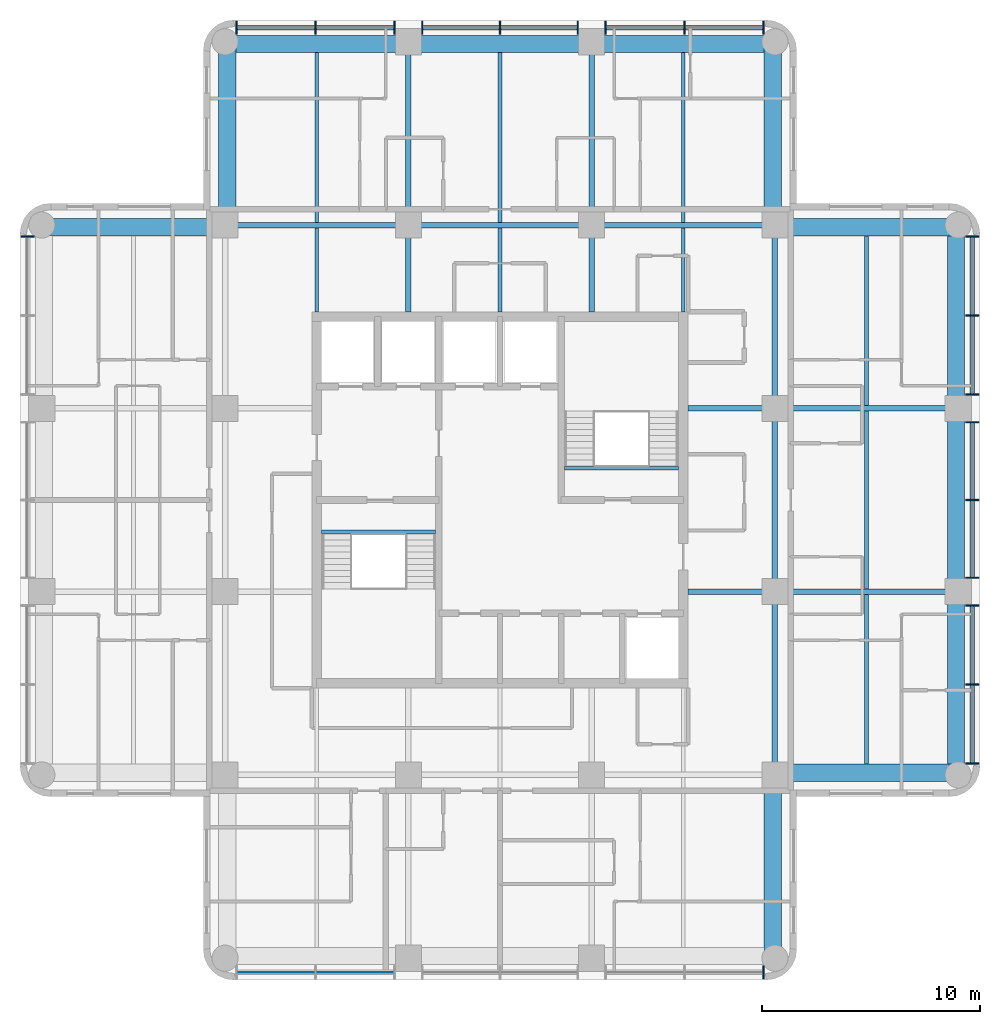
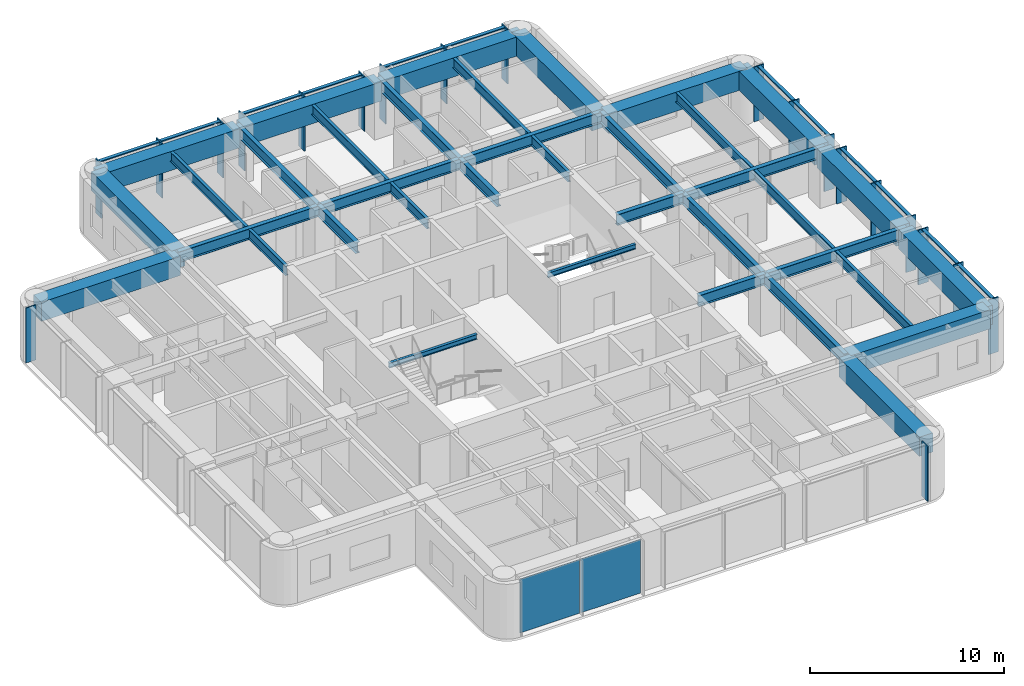
# One storey, part 2 of 9: 37 beams, 32 members, 2 plates, 4 elements without a shape of their own.
"""IFC4 building model written with IfcOpenShell, lengths in metres."""

from ifc_helpers import new_model, si_unit, direction, frame, origin, origin_2d, place, context, subcontext, project, spatial, rectangle, i_section, extrude, material, layer, layer_set, material_profile, profile_set, type_object, element, aggregate, save


model = new_model("IFC4")

# Units and contexts
model_context = context("Model", 3, precision=1e-05, world=origin(), true_north=direction((0.0, 1.0)))
body_context = subcontext(model_context, "Body", "Model", "MODEL_VIEW")
ifc_project = project(units=[si_unit("LENGTHUNIT", "METRE"), si_unit("AREAUNIT", "SQUARE_METRE"), si_unit("VOLUMEUNIT", "CUBIC_METRE"), si_unit("PLANEANGLEUNIT", "RADIAN"), si_unit("MASSUNIT", "GRAM", prefix="KILO")], contexts=[model_context])

# Site, building, storey
site_placement = place(None, origin())
site = spatial("IfcSite", under=ifc_project, at=site_placement, CompositionType="ELEMENT")
building_placement = place(site_placement, origin())
building = spatial("IfcBuilding", under=site, at=building_placement, Name="Torre Alcanfor", CompositionType="ELEMENT")
storey_placement = place(building_placement, frame((0.0, 0.0, 268.5)))
storey = spatial("IfcBuildingStorey", under=building, at=storey_placement, Name="L70", CompositionType="ELEMENT", Elevation=268.5)

# Curtain wall, member
ifc_material_1 = material(Name="Aluminium and glass", Category="aluminium")
curtain_wall_type = type_object("IfcCurtainWallType", Name="CW-A unitised apartment glazing with vertical FIN", PredefinedType="NOTDEFINED", material=ifc_material_1)
curtain_wall_1_placement = place(storey_placement, origin())
curtain_wall_1 = element("IfcCurtainWall", 1, at=curtain_wall_1_placement, inside=storey, type_object=curtain_wall_type, Name="Curtain wall CW-A L70 2", PredefinedType="NOTDEFINED")
ifc_material_2 = material(Name="Bronze anodised aluminium", Category="aluminium")
ifc_material_profile_1 = material_profile(ifc_material_2, rectangle(XDim=0.60009765625, YDim=0.06494140625, at=origin_2d()), Name="CW-A mullion 65x600")
ifc_profile_set_1 = profile_set([ifc_material_profile_1], Name="Bronze anodised aluminium")
member_type_1 = type_object("IfcMemberType", Name="CW-A mullion with vertical FIN 65x600", PredefinedType="MULLION", material=ifc_profile_set_1)
member_1_placement = place(storey_placement, frame((7.75, 41.47412109375, 0.0), z_axis=(0.0, 0.0, 1.0), x_axis=(1.0, 0.0, 0.0)))
member_1 = element("IfcMember", 2, at=member_1_placement, type_object=member_type_1, Name="CW-A mullion 1.1", PredefinedType="MULLION", context=body_context, shape_type="SweptSolid", body=[
    extrude(rectangle(XDim=0.60009765625, YDim=0.06494140625, at=origin_2d()), origin(), (0.0, 0.0, 1.0), 3.449951171875),
])
aggregate(curtain_wall_1, [member_1])

curtain_wall_2_placement = place(storey_placement, origin())
curtain_wall_2 = element("IfcCurtainWall", 3, at=curtain_wall_2_placement, inside=storey, type_object=curtain_wall_type, Name="Curtain wall CW-A L70 5", PredefinedType="NOTDEFINED")
member_2_placement = place(storey_placement, frame((41.47412109375, 7.75, 0.0), z_axis=(0.0, 0.0, 1.0), x_axis=(0.0, 1.0, 0.0)))
member_2 = element("IfcMember", 4, at=member_2_placement, type_object=member_type_1, Name="CW-A mullion 3.3", PredefinedType="MULLION", context=body_context, shape_type="SweptSolid", body=[
    extrude(rectangle(XDim=0.60009765625, YDim=0.06494140625, at=origin_2d()), origin(), (0.0, 0.0, 1.0), 3.449951171875),
])

# Curtain wall, members
curtain_wall_3_placement = place(storey_placement, origin())
curtain_wall_3 = element("IfcCurtainWall", 5, at=curtain_wall_3_placement, inside=storey, type_object=curtain_wall_type, Name="Curtain wall CW-A L70 8", PredefinedType="NOTDEFINED")
member_3_placement = place(storey_placement, frame((51.050048828125, 17.325927734375, 0.0), z_axis=(0.0, 0.0, 1.0), x_axis=(-1.0, 0.0, 0.0)))
member_3 = element("IfcMember", 6, at=member_3_placement, type_object=member_type_1, Name="CW-A mullion 1.1", PredefinedType="MULLION", context=body_context, shape_type="SweptSolid", body=[
    extrude(rectangle(XDim=0.60009765625, YDim=0.06494140625, at=origin_2d()), origin(), (0.0, 0.0, 1.0), 3.449951171875),
])
member_4_placement = place(storey_placement, frame((51.050048828125, 20.9443359375, 0.0), z_axis=(0.0, 0.0, 1.0), x_axis=(-1.0, 0.0, 0.0)))
member_4 = element("IfcMember", 7, at=member_4_placement, type_object=member_type_1, Name="CW-A mullion 1.2", PredefinedType="MULLION", context=body_context, shape_type="SweptSolid", body=[
    extrude(rectangle(XDim=0.60009765625, YDim=0.06494140625, at=origin_2d()), origin(), (0.0, 0.0, 1.0), 3.449951171875),
])
member_5_placement = place(storey_placement, frame((51.050048828125, 24.5625, 0.0), z_axis=(0.0, 0.0, 1.0), x_axis=(-1.0, 0.0, 0.0)))
member_5 = element("IfcMember", 8, at=member_5_placement, type_object=member_type_1, Name="CW-A mullion 1.3", PredefinedType="MULLION", context=body_context, shape_type="SweptSolid", body=[
    extrude(rectangle(XDim=0.60009765625, YDim=0.06494140625, at=origin_2d()), origin(), (0.0, 0.0, 1.0), 3.449951171875),
])
member_6_placement = place(storey_placement, frame((51.050048828125, 25.83740234375, 0.0), z_axis=(0.0, 0.0, 1.0), x_axis=(-1.0, 0.0, 0.0)))
member_6 = element("IfcMember", 9, at=member_6_placement, type_object=member_type_1, Name="CW-A mullion 2.1", PredefinedType="MULLION", context=body_context, shape_type="SweptSolid", body=[
    extrude(rectangle(XDim=0.60009765625, YDim=0.06494140625, at=origin_2d()), origin(), (0.0, 0.0, 1.0), 3.449951171875),
])
member_7_placement = place(storey_placement, frame((51.050048828125, 29.39990234375, 0.0), z_axis=(0.0, 0.0, 1.0), x_axis=(-1.0, 0.0, 0.0)))
member_7 = element("IfcMember", 10, at=member_7_placement, type_object=member_type_1, Name="CW-A mullion 2.2", PredefinedType="MULLION", context=body_context, shape_type="SweptSolid", body=[
    extrude(rectangle(XDim=0.60009765625, YDim=0.06494140625, at=origin_2d()), origin(), (0.0, 0.0, 1.0), 3.449951171875),
])
member_8_placement = place(storey_placement, frame((51.050048828125, 32.96240234375, 0.0), z_axis=(0.0, 0.0, 1.0), x_axis=(-1.0, 0.0, 0.0)))
member_8 = element("IfcMember", 11, at=member_8_placement, type_object=member_type_1, Name="CW-A mullion 2.3", PredefinedType="MULLION", context=body_context, shape_type="SweptSolid", body=[
    extrude(rectangle(XDim=0.60009765625, YDim=0.06494140625, at=origin_2d()), origin(), (0.0, 0.0, 1.0), 3.449951171875),
])
member_9_placement = place(storey_placement, frame((51.050048828125, 34.237548828125, 0.0), z_axis=(0.0, 0.0, 1.0), x_axis=(-1.0, 0.0, 0.0)))
member_9 = element("IfcMember", 12, at=member_9_placement, type_object=member_type_1, Name="CW-A mullion 3.1", PredefinedType="MULLION", context=body_context, shape_type="SweptSolid", body=[
    extrude(rectangle(XDim=0.60009765625, YDim=0.06494140625, at=origin_2d()), origin(), (0.0, 0.0, 1.0), 3.449951171875),
])
member_10_placement = place(storey_placement, frame((51.050048828125, 37.855712890625, 0.0), z_axis=(0.0, 0.0, 1.0), x_axis=(-1.0, 0.0, 0.0)))
member_10 = element("IfcMember", 13, at=member_10_placement, type_object=member_type_1, Name="CW-A mullion 3.2", PredefinedType="MULLION", context=body_context, shape_type="SweptSolid", body=[
    extrude(rectangle(XDim=0.60009765625, YDim=0.06494140625, at=origin_2d()), origin(), (0.0, 0.0, 1.0), 3.449951171875),
])
member_11_placement = place(storey_placement, frame((51.050048828125, 41.47412109375, 0.0), z_axis=(0.0, 0.0, 1.0), x_axis=(-1.0, 0.0, 0.0)))
member_11 = element("IfcMember", 14, at=member_11_placement, type_object=member_type_1, Name="CW-A mullion 3.3", PredefinedType="MULLION", context=body_context, shape_type="SweptSolid", body=[
    extrude(rectangle(XDim=0.60009765625, YDim=0.06494140625, at=origin_2d()), origin(), (0.0, 0.0, 1.0), 3.449951171875),
])

curtain_wall_4_placement = place(storey_placement, origin())
curtain_wall_4 = element("IfcCurtainWall", 15, at=curtain_wall_4_placement, inside=storey, type_object=curtain_wall_type, Name="Curtain wall CW-A L70 11", PredefinedType="NOTDEFINED")
member_12_placement = place(storey_placement, frame((41.47412109375, 51.050048828125, 0.0), z_axis=(0.0, 0.0, 1.0), x_axis=(0.0, -1.0, 0.0)))
member_12 = element("IfcMember", 16, at=member_12_placement, type_object=member_type_1, Name="CW-A mullion 1.1", PredefinedType="MULLION", context=body_context, shape_type="SweptSolid", body=[
    extrude(rectangle(XDim=0.60009765625, YDim=0.06494140625, at=origin_2d()), origin(), (0.0, 0.0, 1.0), 3.449951171875),
])
member_13_placement = place(storey_placement, frame((37.855712890625, 51.050048828125, 0.0), z_axis=(0.0, 0.0, 1.0), x_axis=(0.0, -1.0, 0.0)))
member_13 = element("IfcMember", 17, at=member_13_placement, type_object=member_type_1, Name="CW-A mullion 1.2", PredefinedType="MULLION", context=body_context, shape_type="SweptSolid", body=[
    extrude(rectangle(XDim=0.60009765625, YDim=0.06494140625, at=origin_2d()), origin(), (0.0, 0.0, 1.0), 3.449951171875),
])
member_14_placement = place(storey_placement, frame((34.237548828125, 51.050048828125, 0.0), z_axis=(0.0, 0.0, 1.0), x_axis=(0.0, -1.0, 0.0)))
member_14 = element("IfcMember", 18, at=member_14_placement, type_object=member_type_1, Name="CW-A mullion 1.3", PredefinedType="MULLION", context=body_context, shape_type="SweptSolid", body=[
    extrude(rectangle(XDim=0.60009765625, YDim=0.06494140625, at=origin_2d()), origin(), (0.0, 0.0, 1.0), 3.449951171875),
])
member_15_placement = place(storey_placement, frame((32.96240234375, 51.050048828125, 0.0), z_axis=(0.0, 0.0, 1.0), x_axis=(0.0, -1.0, 0.0)))
member_15 = element("IfcMember", 19, at=member_15_placement, type_object=member_type_1, Name="CW-A mullion 2.1", PredefinedType="MULLION", context=body_context, shape_type="SweptSolid", body=[
    extrude(rectangle(XDim=0.60009765625, YDim=0.06494140625, at=origin_2d()), origin(), (0.0, 0.0, 1.0), 3.449951171875),
])
member_16_placement = place(storey_placement, frame((29.39990234375, 51.050048828125, 0.0), z_axis=(0.0, 0.0, 1.0), x_axis=(0.0, -1.0, 0.0)))
member_16 = element("IfcMember", 20, at=member_16_placement, type_object=member_type_1, Name="CW-A mullion 2.2", PredefinedType="MULLION", context=body_context, shape_type="SweptSolid", body=[
    extrude(rectangle(XDim=0.60009765625, YDim=0.06494140625, at=origin_2d()), origin(), (0.0, 0.0, 1.0), 3.449951171875),
])
member_17_placement = place(storey_placement, frame((25.83740234375, 51.050048828125, 0.0), z_axis=(0.0, 0.0, 1.0), x_axis=(0.0, -1.0, 0.0)))
member_17 = element("IfcMember", 21, at=member_17_placement, type_object=member_type_1, Name="CW-A mullion 2.3", PredefinedType="MULLION", context=body_context, shape_type="SweptSolid", body=[
    extrude(rectangle(XDim=0.60009765625, YDim=0.06494140625, at=origin_2d()), origin(), (0.0, 0.0, 1.0), 3.449951171875),
])
member_18_placement = place(storey_placement, frame((24.5625, 51.050048828125, 0.0), z_axis=(0.0, 0.0, 1.0), x_axis=(0.0, -1.0, 0.0)))
member_18 = element("IfcMember", 22, at=member_18_placement, type_object=member_type_1, Name="CW-A mullion 3.1", PredefinedType="MULLION", context=body_context, shape_type="SweptSolid", body=[
    extrude(rectangle(XDim=0.60009765625, YDim=0.06494140625, at=origin_2d()), origin(), (0.0, 0.0, 1.0), 3.449951171875),
])
member_19_placement = place(storey_placement, frame((20.9443359375, 51.050048828125, 0.0), z_axis=(0.0, 0.0, 1.0), x_axis=(0.0, -1.0, 0.0)))
member_19 = element("IfcMember", 23, at=member_19_placement, type_object=member_type_1, Name="CW-A mullion 3.2", PredefinedType="MULLION", context=body_context, shape_type="SweptSolid", body=[
    extrude(rectangle(XDim=0.60009765625, YDim=0.06494140625, at=origin_2d()), origin(), (0.0, 0.0, 1.0), 3.449951171875),
])
member_20_placement = place(storey_placement, frame((17.325927734375, 51.050048828125, 0.0), z_axis=(0.0, 0.0, 1.0), x_axis=(0.0, -1.0, 0.0)))
member_20 = element("IfcMember", 24, at=member_20_placement, type_object=member_type_1, Name="CW-A mullion 3.3", PredefinedType="MULLION", context=body_context, shape_type="SweptSolid", body=[
    extrude(rectangle(XDim=0.60009765625, YDim=0.06494140625, at=origin_2d()), origin(), (0.0, 0.0, 1.0), 3.449951171875),
])

# Member
ifc_material_3 = material(Name="Extruded aluminium", Category="aluminium")
ifc_material_profile_2 = material_profile(ifc_material_3, rectangle(XDim=0.199951171875, YDim=0.06494140625, at=origin_2d()), Name="CW-A transom 200x65")
ifc_profile_set_2 = profile_set([ifc_material_profile_2], Name="Extruded aluminium")
member_type_2 = type_object("IfcMemberType", Name="CW-A transom 65x200", PredefinedType="USERDEFINED", material=ifc_profile_set_2)
member_21_placement = place(storey_placement, frame((51.050048828125, 17.3583984375, 3.41748046875), z_axis=(0.0, 1.0, 0.0), x_axis=(-1.0, 0.0, 0.0)))
member_21 = element("IfcMember", 25, at=member_21_placement, type_object=member_type_2, Name="CW-A transom 1.1.2", ObjectType="TRANSOM", PredefinedType="USERDEFINED", context=body_context, shape_type="SweptSolid", body=[
    extrude(rectangle(XDim=0.199951171875, YDim=0.06494140625, at=origin_2d()), origin(), (0.0, 0.0, 1.0), 3.553466796875),
])

member_22_placement = place(storey_placement, frame((51.050048828125, 20.976806640625, 3.41748046875), z_axis=(0.0, 1.0, 0.0), x_axis=(-1.0, 0.0, 0.0)))
member_22 = element("IfcMember", 26, at=member_22_placement, type_object=member_type_2, Name="CW-A transom 1.2.2", ObjectType="TRANSOM", PredefinedType="USERDEFINED", context=body_context, shape_type="SweptSolid", body=[
    extrude(rectangle(XDim=0.199951171875, YDim=0.06494140625, at=origin_2d()), origin(), (0.0, 0.0, 1.0), 3.55322265625),
])

member_23_placement = place(storey_placement, frame((51.050048828125, 25.8701171875, 3.41748046875), z_axis=(0.0, 1.0, 0.0), x_axis=(-1.0, 0.0, 0.0)))
member_23 = element("IfcMember", 27, at=member_23_placement, type_object=member_type_2, Name="CW-A transom 2.1.2", ObjectType="TRANSOM", PredefinedType="USERDEFINED", context=body_context, shape_type="SweptSolid", body=[
    extrude(rectangle(XDim=0.199951171875, YDim=0.06494140625, at=origin_2d()), origin(), (0.0, 0.0, 1.0), 3.497314453125),
])

member_24_placement = place(storey_placement, frame((51.050048828125, 29.4326171875, 3.41748046875), z_axis=(0.0, 1.0, 0.0), x_axis=(-1.0, 0.0, 0.0)))
member_24 = element("IfcMember", 28, at=member_24_placement, type_object=member_type_2, Name="CW-A transom 2.2.2", ObjectType="TRANSOM", PredefinedType="USERDEFINED", context=body_context, shape_type="SweptSolid", body=[
    extrude(rectangle(XDim=0.199951171875, YDim=0.06494140625, at=origin_2d()), origin(), (0.0, 0.0, 1.0), 3.497314453125),
])

member_25_placement = place(storey_placement, frame((51.050048828125, 34.27001953125, 3.41748046875), z_axis=(0.0, 1.0, 0.0), x_axis=(-1.0, 0.0, 0.0)))
member_25 = element("IfcMember", 29, at=member_25_placement, type_object=member_type_2, Name="CW-A transom 3.1.2", ObjectType="TRANSOM", PredefinedType="USERDEFINED", context=body_context, shape_type="SweptSolid", body=[
    extrude(rectangle(XDim=0.199951171875, YDim=0.06494140625, at=origin_2d()), origin(), (0.0, 0.0, 1.0), 3.55322265625),
])

member_26_placement = place(storey_placement, frame((51.050048828125, 37.88818359375, 3.41748046875), z_axis=(0.0, 1.0, 0.0), x_axis=(-1.0, 0.0, 0.0)))
member_26 = element("IfcMember", 30, at=member_26_placement, type_object=member_type_2, Name="CW-A transom 3.2.2", ObjectType="TRANSOM", PredefinedType="USERDEFINED", context=body_context, shape_type="SweptSolid", body=[
    extrude(rectangle(XDim=0.199951171875, YDim=0.06494140625, at=origin_2d()), origin(), (0.0, 0.0, 1.0), 3.55322265625),
])

aggregate(curtain_wall_3, [member_3, member_4, member_5, member_21, member_22, member_6, member_7, member_8, member_23, member_24, member_9, member_10, member_11, member_25, member_26])

member_27_placement = place(storey_placement, frame((41.44140625, 51.050048828125, 3.41748046875), z_axis=(-1.0, 0.0, 0.0), x_axis=(0.0, -1.0, 0.0)))
member_27 = element("IfcMember", 31, at=member_27_placement, type_object=member_type_2, Name="CW-A transom 1.1.2", ObjectType="TRANSOM", PredefinedType="USERDEFINED", context=body_context, shape_type="SweptSolid", body=[
    extrude(rectangle(XDim=0.199951171875, YDim=0.06494140625, at=origin_2d()), origin(), (0.0, 0.0, 1.0), 3.55322265625),
])

member_28_placement = place(storey_placement, frame((37.8232421875, 51.050048828125, 3.41748046875), z_axis=(-1.0, 0.0, 0.0), x_axis=(0.0, -1.0, 0.0)))
member_28 = element("IfcMember", 32, at=member_28_placement, type_object=member_type_2, Name="CW-A transom 1.2.2", ObjectType="TRANSOM", PredefinedType="USERDEFINED", context=body_context, shape_type="SweptSolid", body=[
    extrude(rectangle(XDim=0.199951171875, YDim=0.06494140625, at=origin_2d()), origin(), (0.0, 0.0, 1.0), 3.55322265625),
])

member_29_placement = place(storey_placement, frame((32.929931640625, 51.050048828125, 3.41748046875), z_axis=(-1.0, 0.0, 0.0), x_axis=(0.0, -1.0, 0.0)))
member_29 = element("IfcMember", 33, at=member_29_placement, type_object=member_type_2, Name="CW-A transom 2.1.2", ObjectType="TRANSOM", PredefinedType="USERDEFINED", context=body_context, shape_type="SweptSolid", body=[
    extrude(rectangle(XDim=0.199951171875, YDim=0.06494140625, at=origin_2d()), origin(), (0.0, 0.0, 1.0), 3.497314453125),
])

member_30_placement = place(storey_placement, frame((29.367431640625, 51.050048828125, 3.41748046875), z_axis=(-1.0, 0.0, 0.0), x_axis=(0.0, -1.0, 0.0)))
member_30 = element("IfcMember", 34, at=member_30_placement, type_object=member_type_2, Name="CW-A transom 2.2.2", ObjectType="TRANSOM", PredefinedType="USERDEFINED", context=body_context, shape_type="SweptSolid", body=[
    extrude(rectangle(XDim=0.199951171875, YDim=0.06494140625, at=origin_2d()), origin(), (0.0, 0.0, 1.0), 3.497314453125),
])

member_31_placement = place(storey_placement, frame((24.530029296875, 51.050048828125, 3.41748046875), z_axis=(-1.0, 0.0, 0.0), x_axis=(0.0, -1.0, 0.0)))
member_31 = element("IfcMember", 35, at=member_31_placement, type_object=member_type_2, Name="CW-A transom 3.1.2", ObjectType="TRANSOM", PredefinedType="USERDEFINED", context=body_context, shape_type="SweptSolid", body=[
    extrude(rectangle(XDim=0.199951171875, YDim=0.06494140625, at=origin_2d()), origin(), (0.0, 0.0, 1.0), 3.55322265625),
])

member_32_placement = place(storey_placement, frame((20.911865234375, 51.050048828125, 3.41748046875), z_axis=(-1.0, 0.0, 0.0), x_axis=(0.0, -1.0, 0.0)))
member_32 = element("IfcMember", 36, at=member_32_placement, type_object=member_type_2, Name="CW-A transom 3.2.2", ObjectType="TRANSOM", PredefinedType="USERDEFINED", context=body_context, shape_type="SweptSolid", body=[
    extrude(rectangle(XDim=0.199951171875, YDim=0.06494140625, at=origin_2d()), origin(), (0.0, 0.0, 1.0), 3.553466796875),
])

aggregate(curtain_wall_4, [member_12, member_13, member_14, member_27, member_28, member_15, member_16, member_17, member_29, member_30, member_18, member_19, member_20, member_31, member_32])

# Beams
ifc_material_4 = material(Name="Steel ASTM A992 Grade 50", Category="steel")
ifc_material_profile_3 = material_profile(ifc_material_4, i_section(OverallWidth=0.25390625, OverallDepth=0.683349609375, WebThickness=0.012451171875, FlangeThickness=0.01904296875, at=origin_2d()), Name="W27x94")
ifc_profile_set_3 = profile_set([ifc_material_profile_3], Name="Steel ASTM A992 Grade 50")
beam_type_1 = type_object("IfcBeamType", Name="Girder W27x94", PredefinedType="BEAM", material=ifc_profile_set_3)
for number, where, z_axis, x_axis, name in (
    (37, (42.0, 25.199951171875, 3.1083984375), (1.0, 0.0, 0.0), (0.0, 1.0, 0.0), "Beam 6F-7F under L71"),
    (38, (42.0, 33.60009765625, 3.1083984375), (1.0, 0.0, 0.0), (0.0, 1.0, 0.0), "Beam 6G-7G under L71"),
    (39, (16.800048828125, 42.0, 3.1083984375), (1.0, 0.0, 0.0), (0.0, 1.0, 0.0), "Beam 3H-4H under L71"),
):
    element("IfcBeam", number, at=place(storey_placement, frame(where, z_axis=z_axis, x_axis=x_axis)), inside=storey, type_object=beam_type_1, Name=name, PredefinedType="BEAM", context=body_context, shape_type="SweptSolid", body=[
        extrude(i_section(OverallWidth=0.25390625, OverallDepth=0.683349609375, WebThickness=0.012451171875, FlangeThickness=0.01904296875, at=origin_2d()), origin(), (0.0, 0.0, 1.0), 8.39990234375),
    ])
beam_1_placement = place(storey_placement, frame((25.199951171875, 42.0, 3.1083984375), z_axis=(1.0, 0.0, 0.0), x_axis=(0.0, 1.0, 0.0)))
element("IfcBeam", 40, at=beam_1_placement, inside=storey, type_object=beam_type_1, Name="Beam 4H-5H under L71", PredefinedType="BEAM", context=body_context, shape_type="SweptSolid", body=[
    extrude(i_section(OverallWidth=0.25390625, OverallDepth=0.683349609375, WebThickness=0.012451171875, FlangeThickness=0.01904296875, at=origin_2d()), origin(), (0.0, 0.0, 1.0), 8.400146484375),
])
for number, where, z_axis, x_axis, name in (
    (41, (33.60009765625, 42.0, 3.1083984375), (1.0, 0.0, 0.0), (0.0, 1.0, 0.0), "Beam 5H-6H under L71"),
    (42, (25.199951171875, 42.0, 3.1083984375), (0.0, 1.0, 0.0), (-1.0, 0.0, 0.0), "Beam 4H-4J under L71"),
    (43, (33.60009765625, 42.0, 3.1083984375), (0.0, 1.0, 0.0), (-1.0, 0.0, 0.0), "Beam 5H-5J under L71"),
    (44, (42.0, 16.800048828125, 3.1083984375), (0.0, 1.0, 0.0), (-1.0, 0.0, 0.0), "Beam 6E-6F under L71"),
):
    element("IfcBeam", number, at=place(storey_placement, frame(where, z_axis=z_axis, x_axis=x_axis)), inside=storey, type_object=beam_type_1, Name=name, PredefinedType="BEAM", context=body_context, shape_type="SweptSolid", body=[
        extrude(i_section(OverallWidth=0.25390625, OverallDepth=0.683349609375, WebThickness=0.012451171875, FlangeThickness=0.01904296875, at=origin_2d()), origin(), (0.0, 0.0, 1.0), 8.39990234375),
    ])
beam_2_placement = place(storey_placement, frame((42.0, 25.199951171875, 3.1083984375), z_axis=(0.0, 1.0, 0.0), x_axis=(-1.0, 0.0, 0.0)))
element("IfcBeam", 45, at=beam_2_placement, inside=storey, type_object=beam_type_1, Name="Beam 6F-6G under L71", PredefinedType="BEAM", context=body_context, shape_type="SweptSolid", body=[
    extrude(i_section(OverallWidth=0.25390625, OverallDepth=0.683349609375, WebThickness=0.012451171875, FlangeThickness=0.01904296875, at=origin_2d()), origin(), (0.0, 0.0, 1.0), 8.400146484375),
])
beam_3_placement = place(storey_placement, frame((42.0, 33.60009765625, 3.1083984375), z_axis=(0.0, 1.0, 0.0), x_axis=(-1.0, 0.0, 0.0)))
element("IfcBeam", 46, at=beam_3_placement, inside=storey, type_object=beam_type_1, Name="Beam 6G-6H under L71", PredefinedType="BEAM", context=body_context, shape_type="SweptSolid", body=[
    extrude(i_section(OverallWidth=0.25390625, OverallDepth=0.683349609375, WebThickness=0.012451171875, FlangeThickness=0.01904296875, at=origin_2d()), origin(), (0.0, 0.0, 1.0), 8.39990234375),
])
ifc_material_5 = material(Name="Steel ASTM A992 Grade 50", Category="steel")
ifc_material_profile_4 = material_profile(ifc_material_5, i_section(OverallWidth=0.25390625, OverallDepth=0.683349609375, WebThickness=0.012451171875, FlangeThickness=0.01904296875, at=origin_2d()), Name="W27x94")
ifc_profile_set_4 = profile_set([ifc_material_profile_4], Name="Steel ASTM A992 Grade 50")
beam_type_2 = type_object("IfcBeamType", Name="Girder, part bay W27x94", PredefinedType="BEAM", material=ifc_profile_set_4)
for number, where, z_axis, x_axis, name in (
    (47, (25.199951171875, 42.0, 3.1083984375), (0.0, -1.0, 0.0), (1.0, 0.0, 0.0), "Beam 4H-438_025 under L71"),
    (48, (33.60009765625, 42.0, 3.1083984375), (0.0, -1.0, 0.0), (1.0, 0.0, 0.0), "Beam 5H-538_025 under L71"),
    (49, (42.0, 25.199951171875, 3.1083984375), (-1.0, 0.0, 0.0), (0.0, -1.0, 0.0), "Beam 6F-38_025F under L71"),
    (50, (42.0, 33.60009765625, 3.1083984375), (-1.0, 0.0, 0.0), (0.0, -1.0, 0.0), "Beam 6G-38_025G under L71"),
):
    element("IfcBeam", number, at=place(storey_placement, frame(where, z_axis=z_axis, x_axis=x_axis)), inside=storey, type_object=beam_type_2, Name=name, PredefinedType="BEAM", context=body_context, shape_type="SweptSolid", body=[
        extrude(i_section(OverallWidth=0.25390625, OverallDepth=0.683349609375, WebThickness=0.012451171875, FlangeThickness=0.01904296875, at=origin_2d()), origin(), (0.0, 0.0, 1.0), 3.97509765625),
    ])
ifc_material_6 = material(Name="Concrete f'c 70 MPa", Category="concrete")
ifc_material_profile_5 = material_profile(ifc_material_6, rectangle(XDim=0.800048828125, YDim=1.199951171875, at=origin_2d()), Name="800x1200")
ifc_profile_set_5 = profile_set([ifc_material_profile_5], Name="Concrete f'c 70 MPa")
beam_type_3 = type_object("IfcBeamType", Name="RC perimeter beam 800x1200", PredefinedType="BEAM", material=ifc_profile_set_5)
beam_4_placement = place(storey_placement, frame((42.126953125, 16.89990234375, 2.85009765625), z_axis=(1.0, 0.0, 0.0), x_axis=(0.0, 1.0, 0.0)))
element("IfcBeam", 51, at=beam_4_placement, inside=storey, type_object=beam_type_3, Name="Beam 6E-7E under L71", PredefinedType="BEAM", context=body_context, shape_type="SweptSolid", body=[
    extrude(rectangle(XDim=0.800048828125, YDim=1.199951171875, at=origin_2d()), origin(), (0.0, 0.0, 1.0), 8.27294921875),
])
beam_5_placement = place(storey_placement, frame((8.39990234375, 41.89990234375, 2.85009765625), z_axis=(1.0, 0.0, 0.0), x_axis=(0.0, 1.0, 0.0)))
element("IfcBeam", 52, at=beam_5_placement, inside=storey, type_object=beam_type_3, Name="Beam 2H-3H under L71", PredefinedType="BEAM", context=body_context, shape_type="SweptSolid", body=[
    extrude(rectangle(XDim=0.800048828125, YDim=1.199951171875, at=origin_2d()), origin(), (0.0, 0.0, 1.0), 8.273193359375),
])
for number, where, z_axis, x_axis, name in (
    (53, (42.126953125, 41.89990234375, 2.85009765625), (1.0, 0.0, 0.0), (0.0, 1.0, 0.0), "Beam 6H-7H under L71"),
    (54, (16.800048828125, 50.300048828125, 2.85009765625), (1.0, 0.0, 0.0), (0.0, 1.0, 0.0), "Beam 3J-4J under L71"),
):
    element("IfcBeam", number, at=place(storey_placement, frame(where, z_axis=z_axis, x_axis=x_axis)), inside=storey, type_object=beam_type_3, Name=name, PredefinedType="BEAM", context=body_context, shape_type="SweptSolid", body=[
        extrude(rectangle(XDim=0.800048828125, YDim=1.199951171875, at=origin_2d()), origin(), (0.0, 0.0, 1.0), 8.27294921875),
    ])
beam_6_placement = place(storey_placement, frame((25.326904296875, 50.300048828125, 2.85009765625), z_axis=(1.0, 0.0, 0.0), x_axis=(0.0, 1.0, 0.0)))
element("IfcBeam", 55, at=beam_6_placement, inside=storey, type_object=beam_type_3, Name="Beam 4J-5J under L71", PredefinedType="BEAM", context=body_context, shape_type="SweptSolid", body=[
    extrude(rectangle(XDim=0.800048828125, YDim=1.199951171875, at=origin_2d()), origin(), (0.0, 0.0, 1.0), 8.14599609375),
])
for number, where, z_axis, x_axis, name in (
    (56, (33.72705078125, 50.300048828125, 2.85009765625), (1.0, 0.0, 0.0), (0.0, 1.0, 0.0), "Beam 5J-6J under L71"),
    (57, (16.89990234375, 42.126953125, 2.85009765625), (0.0, 1.0, 0.0), (-1.0, 0.0, 0.0), "Beam 3H-3J under L71"),
):
    element("IfcBeam", number, at=place(storey_placement, frame(where, z_axis=z_axis, x_axis=x_axis)), inside=storey, type_object=beam_type_3, Name=name, PredefinedType="BEAM", context=body_context, shape_type="SweptSolid", body=[
        extrude(rectangle(XDim=0.800048828125, YDim=1.199951171875, at=origin_2d()), origin(), (0.0, 0.0, 1.0), 8.27294921875),
    ])
beam_7_placement = place(storey_placement, frame((41.89990234375, 8.39990234375, 2.85009765625), z_axis=(0.0, 1.0, 0.0), x_axis=(-1.0, 0.0, 0.0)))
element("IfcBeam", 58, at=beam_7_placement, inside=storey, type_object=beam_type_3, Name="Beam 6D-6E under L71", PredefinedType="BEAM", context=body_context, shape_type="SweptSolid", body=[
    extrude(rectangle(XDim=0.800048828125, YDim=1.199951171875, at=origin_2d()), origin(), (0.0, 0.0, 1.0), 8.273193359375),
])
for number, where, z_axis, x_axis, name in (
    (59, (41.89990234375, 42.126953125, 2.85009765625), (0.0, 1.0, 0.0), (-1.0, 0.0, 0.0), "Beam 6H-6J under L71"),
    (60, (50.300048828125, 16.800048828125, 2.85009765625), (0.0, 1.0, 0.0), (-1.0, 0.0, 0.0), "Beam 7E-7F under L71"),
):
    element("IfcBeam", number, at=place(storey_placement, frame(where, z_axis=z_axis, x_axis=x_axis)), inside=storey, type_object=beam_type_3, Name=name, PredefinedType="BEAM", context=body_context, shape_type="SweptSolid", body=[
        extrude(rectangle(XDim=0.800048828125, YDim=1.199951171875, at=origin_2d()), origin(), (0.0, 0.0, 1.0), 8.27294921875),
    ])
beam_8_placement = place(storey_placement, frame((50.300048828125, 25.326904296875, 2.85009765625), z_axis=(0.0, 1.0, 0.0), x_axis=(-1.0, 0.0, 0.0)))
element("IfcBeam", 61, at=beam_8_placement, inside=storey, type_object=beam_type_3, Name="Beam 7F-7G under L71", PredefinedType="BEAM", context=body_context, shape_type="SweptSolid", body=[
    extrude(rectangle(XDim=0.800048828125, YDim=1.199951171875, at=origin_2d()), origin(), (0.0, 0.0, 1.0), 8.14599609375),
])
beam_9_placement = place(storey_placement, frame((50.300048828125, 33.72705078125, 2.85009765625), z_axis=(0.0, 1.0, 0.0), x_axis=(-1.0, 0.0, 0.0)))
element("IfcBeam", 62, at=beam_9_placement, inside=storey, type_object=beam_type_3, Name="Beam 7G-7H under L71", PredefinedType="BEAM", context=body_context, shape_type="SweptSolid", body=[
    extrude(rectangle(XDim=0.800048828125, YDim=1.199951171875, at=origin_2d()), origin(), (0.0, 0.0, 1.0), 8.27294921875),
])
ifc_material_7 = material(Name="Steel ASTM A992 Grade 50", Category="steel")
ifc_material_profile_6 = material_profile(ifc_material_7, i_section(OverallWidth=0.1787109375, OverallDepth=0.60205078125, WebThickness=0.010986328125, FlangeThickness=0.014892578125, at=origin_2d()), Name="W24x62")
ifc_profile_set_6 = profile_set([ifc_material_profile_6], Name="Steel ASTM A992 Grade 50")
beam_type_4 = type_object("IfcBeamType", Name="Secondary beam W24x62", PredefinedType="BEAM", material=ifc_profile_set_6)
for number, where, z_axis, x_axis, name in (
    (63, (21.0, 42.126953125, 3.14892578125), (0.0, 1.0, 0.0), (-1.0, 0.0, 0.0), "Beam 21H-21J under L71"),
    (64, (29.39990234375, 42.126953125, 3.14892578125), (0.0, 1.0, 0.0), (-1.0, 0.0, 0.0), "Beam 29_4H-29_4J under L71"),
    (65, (37.800048828125, 42.126953125, 3.14892578125), (0.0, 1.0, 0.0), (-1.0, 0.0, 0.0), "Beam 37_8H-37_8J under L71"),
    (66, (46.199951171875, 17.300048828125, 3.14892578125), (0.0, 1.0, 0.0), (-1.0, 0.0, 0.0), "Beam 46_2E-46_2F under L71"),
):
    element("IfcBeam", number, at=place(storey_placement, frame(where, z_axis=z_axis, x_axis=x_axis)), inside=storey, type_object=beam_type_4, Name=name, PredefinedType="BEAM", context=body_context, shape_type="SweptSolid", body=[
        extrude(i_section(OverallWidth=0.1787109375, OverallDepth=0.60205078125, WebThickness=0.010986328125, FlangeThickness=0.014892578125, at=origin_2d()), origin(), (0.0, 0.0, 1.0), 7.77294921875),
    ])
beam_10_placement = place(storey_placement, frame((46.199951171875, 25.326904296875, 3.14892578125), z_axis=(0.0, 1.0, 0.0), x_axis=(-1.0, 0.0, 0.0)))
element("IfcBeam", 67, at=beam_10_placement, inside=storey, type_object=beam_type_4, Name="Beam 46_2F-46_2G under L71", PredefinedType="BEAM", context=body_context, shape_type="SweptSolid", body=[
    extrude(i_section(OverallWidth=0.1787109375, OverallDepth=0.60205078125, WebThickness=0.010986328125, FlangeThickness=0.014892578125, at=origin_2d()), origin(), (0.0, 0.0, 1.0), 8.14599609375),
])
beam_11_placement = place(storey_placement, frame((46.199951171875, 33.72705078125, 3.14892578125), z_axis=(0.0, 1.0, 0.0), x_axis=(-1.0, 0.0, 0.0)))
element("IfcBeam", 68, at=beam_11_placement, inside=storey, type_object=beam_type_4, Name="Beam 46_2G-46_2H under L71", PredefinedType="BEAM", context=body_context, shape_type="SweptSolid", body=[
    extrude(i_section(OverallWidth=0.1787109375, OverallDepth=0.60205078125, WebThickness=0.010986328125, FlangeThickness=0.014892578125, at=origin_2d()), origin(), (0.0, 0.0, 1.0), 7.77294921875),
])
ifc_material_8 = material(Name="Steel ASTM A992 Grade 50", Category="steel")
ifc_material_profile_7 = material_profile(ifc_material_8, i_section(OverallWidth=0.1787109375, OverallDepth=0.60205078125, WebThickness=0.010986328125, FlangeThickness=0.014892578125, at=origin_2d()), Name="W24x62")
ifc_profile_set_7 = profile_set([ifc_material_profile_7], Name="Steel ASTM A992 Grade 50")
beam_type_5 = type_object("IfcBeamType", Name="Secondary beam, part bay W24x62", PredefinedType="BEAM", material=ifc_profile_set_7)
for number, where, z_axis, x_axis, name in (
    (69, (21.0, 38.02490234375, 3.14892578125), (0.0, 1.0, 0.0), (-1.0, 0.0, 0.0), "Beam 2138_025-21H under L71"),
    (70, (29.39990234375, 38.02490234375, 3.14892578125), (0.0, 1.0, 0.0), (-1.0, 0.0, 0.0), "Beam 29_438_025-29_4H under L71"),
    (71, (37.800048828125, 38.02490234375, 3.14892578125), (0.0, 1.0, 0.0), (-1.0, 0.0, 0.0), "Beam 37_838_025-37_8H under L71"),
):
    element("IfcBeam", number, at=place(storey_placement, frame(where, z_axis=z_axis, x_axis=x_axis)), inside=storey, type_object=beam_type_5, Name=name, PredefinedType="BEAM", context=body_context, shape_type="SweptSolid", body=[
        extrude(i_section(OverallWidth=0.1787109375, OverallDepth=0.60205078125, WebThickness=0.010986328125, FlangeThickness=0.014892578125, at=origin_2d()), origin(), (0.0, 0.0, 1.0), 3.84814453125),
    ])
ifc_material_9 = material(Name="Steel ASTM A992 Grade 50", Category="steel")
ifc_material_profile_8 = material_profile(ifc_material_9, i_section(OverallWidth=0.164794921875, OverallDepth=0.309814453125, WebThickness=0.005859375, FlangeThickness=0.009765625, at=origin_2d()), Name="W12x26")
ifc_profile_set_8 = profile_set([ifc_material_profile_8], Name="Steel ASTM A992 Grade 50")
beam_type_6 = type_object("IfcBeamType", Name="Stair landing beam W12x26", PredefinedType="BEAM", material=ifc_profile_set_8)
for number, where, z_axis, x_axis, name in (
    (72, (21.22509765625, 27.9375, 3.2451171875), (1.0, 0.0, 0.0), (0.0, 1.0, 0.0), "Landing trimmer S1 L71"),
    (73, (32.35009765625, 30.862548828125, 3.2451171875), (1.0, 0.0, 0.0), (0.0, 1.0, 0.0), "Landing trimmer S2 L71"),
):
    element("IfcBeam", number, at=place(storey_placement, frame(where, z_axis=z_axis, x_axis=x_axis)), inside=storey, type_object=beam_type_6, Name=name, PredefinedType="BEAM", context=body_context, shape_type="SweptSolid", body=[
        extrude(i_section(OverallWidth=0.164794921875, OverallDepth=0.309814453125, WebThickness=0.005859375, FlangeThickness=0.009765625, at=origin_2d()), origin(), (0.0, 0.0, 1.0), 5.224853515625),
    ])

# Plate
ifc_material_10 = material(Name="Glass", Category="glass")
ifc_layer = layer(ifc_material_10, 0.028076171875)
ifc_layer_set = layer_set([ifc_layer], Name="CW-A clear double glazed unit")
plate_type = type_object("IfcPlateType", Name="CW-A clear double glazed unit", PredefinedType="CURTAIN_PANEL", material=ifc_layer_set)
plate_1_placement = place(storey_placement, frame((19.135009765625, 7.75, 0.0), z_axis=(0.0, 0.0, 1.0), x_axis=(1.0, 0.0, 0.0)))
plate_1 = element("IfcPlate", 74, at=plate_1_placement, type_object=plate_type, Name="CW-A panel 1.1.1", PredefinedType="CURTAIN_PANEL", context=body_context, shape_type="SweptSolid", body=[
    extrude(rectangle(XDim=3.55322265625, YDim=0.028076171875, at=origin_2d()), origin(), (0.0, 0.0, 1.0), 3.385009765625),
])

plate_2_placement = place(storey_placement, frame((22.75341796875, 7.75, 0.0), z_axis=(0.0, 0.0, 1.0), x_axis=(1.0, 0.0, 0.0)))
plate_2 = element("IfcPlate", 75, at=plate_2_placement, type_object=plate_type, Name="CW-A panel 1.2.1", PredefinedType="CURTAIN_PANEL", context=body_context, shape_type="SweptSolid", body=[
    extrude(rectangle(XDim=3.55322265625, YDim=0.028076171875, at=origin_2d()), origin(), (0.0, 0.0, 1.0), 3.385009765625),
])

aggregate(curtain_wall_2, [plate_1, plate_2, member_2])

save(model, "model.ifc")
